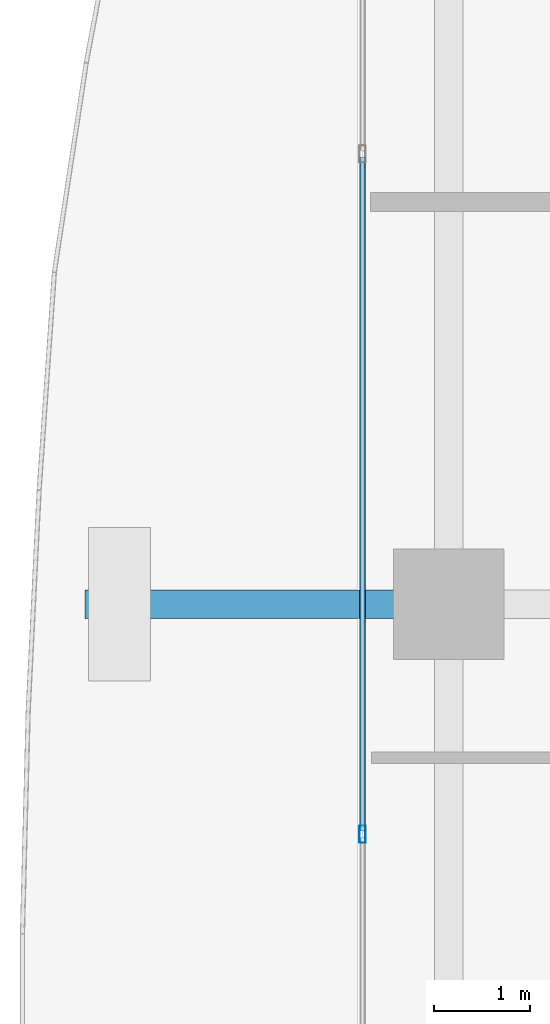
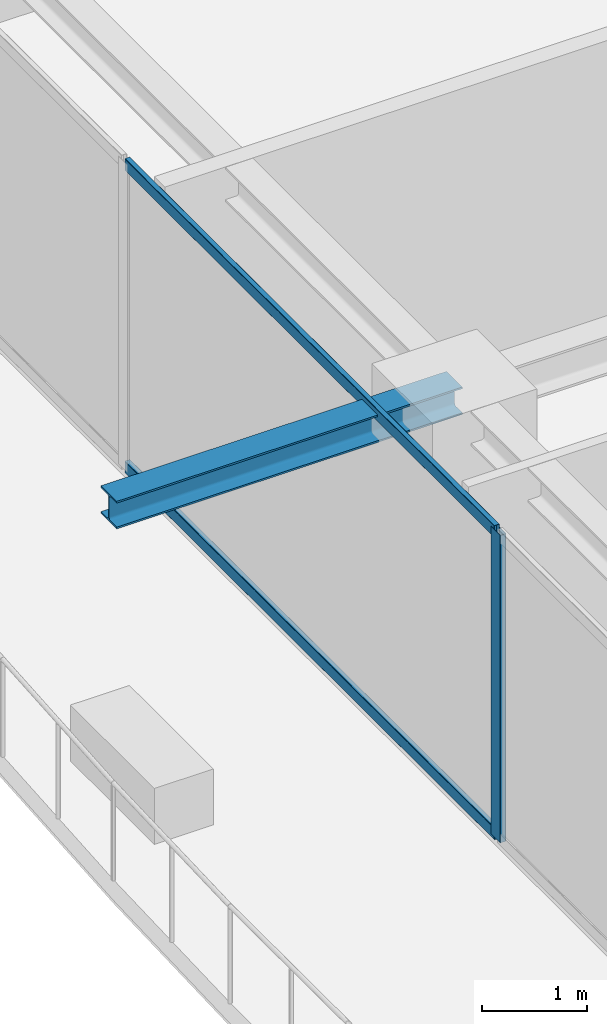
# One storey, part 10 of 38: 3 members, 1 beam, 1 element without a shape of its own.
"""IFC4 building model written with IfcOpenShell, lengths in metres."""

from ifc_helpers import new_model, si_unit, direction, frame, origin, origin_2d, place, context, subcontext, project, spatial, hollow_rectangle, i_section, extrude, source, transform, mapped, material, layer, layer_set, material_profile, profile_set, type_object, element, aggregate, save


model = new_model("IFC4")

# Units and contexts
model_context = context("Model", 3, precision=1e-05, world=origin(), true_north=direction((0.0, 1.0)))
body_context = subcontext(model_context, "Body", "Model", "MODEL_VIEW")
ifc_project = project(units=[si_unit("LENGTHUNIT", "METRE"), si_unit("AREAUNIT", "SQUARE_METRE"), si_unit("VOLUMEUNIT", "CUBIC_METRE"), si_unit("PLANEANGLEUNIT", "RADIAN"), si_unit("MASSUNIT", "GRAM", prefix="KILO")], contexts=[model_context])

# Site, building, storey
site_placement = place(None, origin())
site = spatial("IfcSite", under=ifc_project, at=site_placement, CompositionType="ELEMENT")
building_placement = place(site_placement, origin())
building = spatial("IfcBuilding", under=site, at=building_placement, Name="Serunith Strait Residences", CompositionType="ELEMENT")
storey_placement = place(building_placement, frame((0.0, 0.0, 268.199951171875)))
storey = spatial("IfcBuildingStorey", under=building, at=storey_placement, Name="L67", CompositionType="ELEMENT", Elevation=268.199951171875)

# Beam
ifc_material_1 = material(Name="Steel S355J2", Category="steel")
ifc_material_profile_1 = material_profile(ifc_material_1, i_section(OverallWidth=0.300048828125, OverallDepth=0.320068359375, WebThickness=0.011474609375, FlangeThickness=0.0205078125, FilletRadius=0.027099609375, at=origin_2d()), Name="HEB 320")
ifc_profile_set_1 = profile_set([ifc_material_profile_1], Name="Steel S355J2")
beam_type = type_object("IfcBeamType", Name="BM-HEB320", PredefinedType="BEAM", material=ifc_profile_set_1)
shared_shape_1 = source(origin(), body_context, "Body", "SweptSolid", [
    extrude(i_section(OverallWidth=0.300048828125, OverallDepth=0.320068359375, WebThickness=0.011474609375, FlangeThickness=0.0205078125, FilletRadius=0.027099609375, at=origin_2d()), origin(), (0.0, 0.0, 1.0), 3.800048828125),
])
beam_placement = place(storey_placement, frame((8.300048828125, 29.39990234375, 3.39697265625), z_axis=(-1.0, 0.0, 0.0), x_axis=(0.0, -1.0, 0.0)))
element("IfcBeam", 1, at=beam_placement, inside=storey, type_object=beam_type, Name="L68 Cantilevered Balcony Rib TC-W3", PredefinedType="BEAM", context=body_context, shape_type="MappedRepresentation", body=[
    mapped(shared_shape_1, transform((0.0, 0.0, 0.0), scale=1.0)),
])

# Curtain wall, members
ifc_material_2 = material(Name="Pale-Champagne Anodised Aluminium", Category="aluminium")
ifc_layer = layer(ifc_material_2, 0.199951171875, Name="Pale-Champagne Anodised Aluminium")
ifc_layer_set = layer_set([ifc_layer], Name="Pale-Champagne Anodised Aluminium")
curtain_wall_type = type_object("IfcCurtainWallType", Name="CW-SYS4", PredefinedType="NOTDEFINED", material=ifc_layer_set)
curtain_wall_placement = place(storey_placement, origin())
curtain_wall = element("IfcCurtainWall", 2, at=curtain_wall_placement, inside=storey, type_object=curtain_wall_type, Name="L67 W Unitised Fritted Curtain Wall", PredefinedType="NOTDEFINED")
ifc_material_profile_2 = material_profile(ifc_material_2, hollow_rectangle(XDim=0.06494140625, YDim=0.179931640625, WallThickness=0.00341796875, InnerFilletRadius=0.00537109375, OuterFilletRadius=0.0087890625, at=origin_2d()), Name="ALU 180x65x3.5")
ifc_profile_set_2 = profile_set([ifc_material_profile_2], Name="Pale-Champagne Anodised Aluminium")
member_type_1 = type_object("IfcMemberType", Name="CW-SYS4-MULL", PredefinedType="MULLION", material=ifc_profile_set_2)
shared_shape_2 = source(origin(), body_context, "Body", "SweptSolid", [
    extrude(hollow_rectangle(XDim=0.06494140625, YDim=0.179931640625, WallThickness=0.00341796875, InnerFilletRadius=0.00537109375, OuterFilletRadius=0.0087890625, at=origin_2d()), origin(), (0.0, 0.0, 1.0), 3.574951171875),
])
member_1_placement = place(storey_placement, frame((7.39990234375, 27.0, 0.0), z_axis=(0.0, 0.0, 1.0), x_axis=(1.0, 0.0, 0.0)))
member_1 = element("IfcMember", 3, at=member_1_placement, type_object=member_type_1, Name="CW-4 mullion 3", PredefinedType="MULLION", context=body_context, shape_type="MappedRepresentation", body=[
    mapped(shared_shape_2, transform((0.0, 0.0, 0.0), scale=1.0)),
])
ifc_material_profile_3 = material_profile(ifc_material_2, hollow_rectangle(XDim=0.06005859375, YDim=0.139892578125, WallThickness=0.00341796875, InnerFilletRadius=0.00537109375, OuterFilletRadius=0.0087890625, at=origin_2d()), Name="ALU 140x60x3.5")
ifc_profile_set_3 = profile_set([ifc_material_profile_3], Name="Pale-Champagne Anodised Aluminium")
member_type_2 = type_object("IfcMemberType", Name="CW-SYS4-TRAN", PredefinedType="USERDEFINED", material=ifc_profile_set_3)
shared_shape_3 = source(origin(), body_context, "Body", "SweptSolid", [
    extrude(hollow_rectangle(XDim=0.06005859375, YDim=0.139892578125, WallThickness=0.00341796875, InnerFilletRadius=0.00537109375, OuterFilletRadius=0.0087890625, at=origin_2d()), origin(), (0.0, 0.0, 1.0), 7.034912109375),
])
member_2_placement = place(storey_placement, frame((7.39990234375, 34.0673828125, 0.030029296875), z_axis=(0.0, -1.0, 0.0), x_axis=(1.0, 0.0, 0.0)))
member_2 = element("IfcMember", 4, at=member_2_placement, type_object=member_type_2, Name="CW-4 transom 2.1", ObjectType="TRANSOM", PredefinedType="USERDEFINED", context=body_context, shape_type="MappedRepresentation", body=[
    mapped(shared_shape_3, transform((0.0, 0.0, 0.0), scale=1.0)),
])
member_3_placement = place(storey_placement, frame((7.39990234375, 34.0673828125, 3.545166015625), z_axis=(0.0, -1.0, 0.0), x_axis=(1.0, 0.0, 0.0)))
member_3 = element("IfcMember", 5, at=member_3_placement, type_object=member_type_2, Name="CW-4 transom 2.2", ObjectType="TRANSOM", PredefinedType="USERDEFINED", context=body_context, shape_type="MappedRepresentation", body=[
    mapped(shared_shape_3, transform((0.0, 0.0, 0.0), scale=1.0)),
])
aggregate(curtain_wall, [member_1, member_2, member_3])

save(model, "model.ifc")
